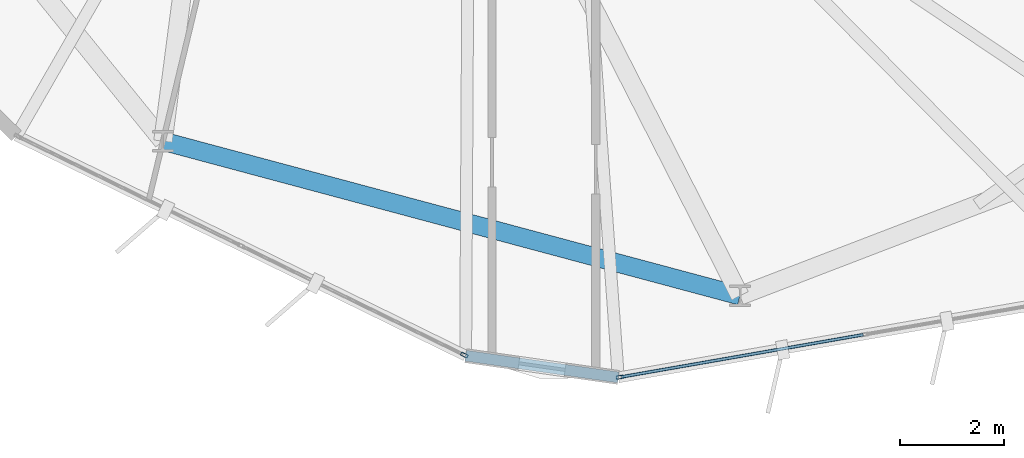
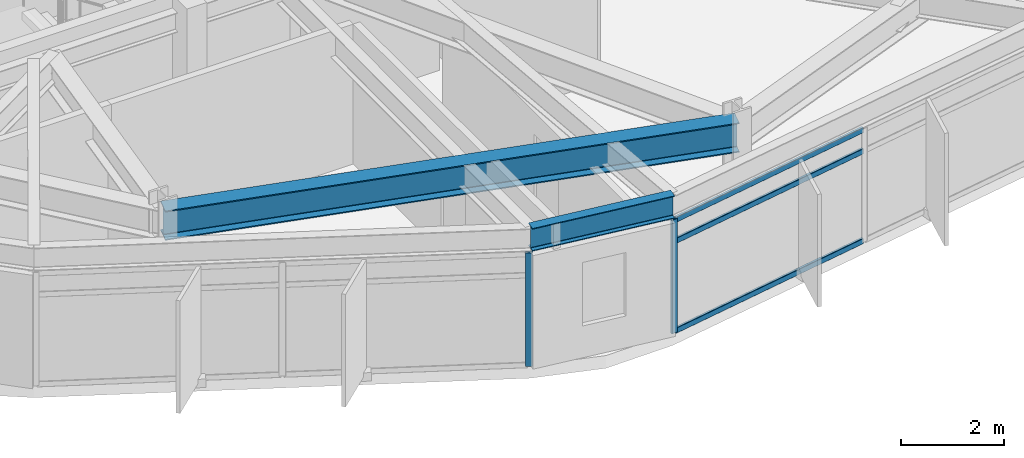
# One storey, part 5 of 28: 5 members, 2 beams, 2 elements without a shape of their own.
"""IFC4 building model written with IfcOpenShell, lengths in metres."""

from ifc_helpers import new_model, si_unit, direction, frame, origin, origin_2d, place, context, subcontext, project, spatial, hollow_rectangle, i_section, extrude, material, layer, layer_set, material_profile, profile_set, type_object, element, aggregate, save


model = new_model("IFC4")

# Units and contexts
model_context = context("Model", 3, precision=1e-05, world=origin(), true_north=direction((0.0, 1.0)))
body_context = subcontext(model_context, "Body", "Model", "MODEL_VIEW")
ifc_project = project(units=[si_unit("LENGTHUNIT", "METRE"), si_unit("AREAUNIT", "SQUARE_METRE"), si_unit("VOLUMEUNIT", "CUBIC_METRE"), si_unit("PLANEANGLEUNIT", "RADIAN"), si_unit("MASSUNIT", "GRAM", prefix="KILO")], contexts=[model_context])

# Site, building, storey
site_placement = place(None, origin())
site = spatial("IfcSite", under=ifc_project, at=site_placement, CompositionType="ELEMENT")
building_placement = place(site_placement, origin())
building = spatial("IfcBuilding", under=site, at=building_placement, Name="Soratama Intermodal Tower", CompositionType="ELEMENT")
storey_placement = place(building_placement, frame((0.0, 0.0, 201.39990234375)))
storey = spatial("IfcBuildingStorey", under=building, at=storey_placement, Name="L50", CompositionType="ELEMENT", Elevation=201.39990234375)

# Beams
ifc_material_1 = material(Name="Structural steel ASTM A992 Grade 50", Category="steel")
ifc_material_profile_1 = material_profile(ifc_material_1, i_section(OverallWidth=0.35498046875, OverallDepth=0.695068359375, WebThickness=0.015380859375, FlangeThickness=0.02490234375, FilletRadius=0.01611328125, at=origin_2d()), Name="W27X146")
ifc_profile_set_1 = profile_set([ifc_material_profile_1], Name="Structural steel ASTM A992 Grade 50")
beam_type_1 = type_object("IfcBeamType", Name="BM-RING-W27X146", PredefinedType="BEAM", material=ifc_profile_set_1)
beam_1_placement = place(storey_placement, frame((34.8701171875, 9.40087890625, 2.95263671875), z_axis=(0.965928616227, -0.258808632687, 0.0), x_axis=(0.258808632687, 0.965928616227, 0.0)))
element("IfcBeam", 1, at=beam_1_placement, inside=storey, type_object=beam_type_1, Name="BM-L50-RING-07", PredefinedType="BEAM", context=body_context, shape_type="SweptSolid", body=[
    extrude(i_section(OverallWidth=0.35498046875, OverallDepth=0.695068359375, WebThickness=0.015380859375, FlangeThickness=0.02490234375, FilletRadius=0.01611328125, at=origin_2d()), origin(), (0.0, 0.0, 1.0), 11.494384765625),
])
ifc_material_2 = material(Name="Structural steel ASTM A992 Grade 50", Category="steel")
ifc_material_profile_2 = material_profile(ifc_material_2, i_section(OverallWidth=0.2099609375, OverallDepth=0.537109375, WebThickness=0.010986328125, FlangeThickness=0.017333984375, FilletRadius=0.012939453125, at=origin_2d()), Name="W21X68")
ifc_profile_set_2 = profile_set([ifc_material_profile_2], Name="Structural steel ASTM A992 Grade 50")
beam_type_2 = type_object("IfcBeamType", Name="BM-SPN-W21X68", PredefinedType="SPANDREL", material=ifc_profile_set_2)
beam_2_placement = place(storey_placement, frame((40.694091796875, 5.27294921875, 3.031494140625), z_axis=(0.990025064431, -0.14089134749, 0.0), x_axis=(0.14089134749, 0.990025064431, 0.0)))
element("IfcBeam", 2, at=beam_2_placement, inside=storey, type_object=beam_type_2, Name="BS-L50-CRN06", PredefinedType="SPANDREL", context=body_context, shape_type="SweptSolid", body=[
    extrude(i_section(OverallWidth=0.2099609375, OverallDepth=0.537109375, WebThickness=0.010986328125, FlangeThickness=0.017333984375, FilletRadius=0.012939453125, at=origin_2d()), origin(), (0.0, 0.0, 1.0), 2.966552734375),
])

# Curtain wall, member
ifc_material_3 = material(Name="Double-glazed aluminium curtain wall", Category="aluminium")
ifc_layer = layer(ifc_material_3, 0.159912109375)
ifc_layer_set = layer_set([ifc_layer], Name="Double-glazed aluminium curtain wall")
curtain_wall_type = type_object("IfcCurtainWallType", Name="CW-SYS-5", PredefinedType="NOTDEFINED", material=ifc_layer_set)
curtain_wall_1_placement = place(storey_placement, origin())
curtain_wall_1 = element("IfcCurtainWall", 3, at=curtain_wall_1_placement, inside=storey, type_object=curtain_wall_type, Name="L50 Faceted Curtain Wall F06", PredefinedType="NOTDEFINED")
ifc_material_4 = material(Name="Anodised aluminium AA 6063-T6", Category="aluminium")
ifc_material_profile_3 = material_profile(ifc_material_4, hollow_rectangle(XDim=0.06494140625, YDim=0.139892578125, WallThickness=0.0048828125, InnerFilletRadius=0.0048828125, OuterFilletRadius=0.010009765625, at=origin_2d()), Name="CWM140X65X5")
ifc_profile_set_3 = profile_set([ifc_material_profile_3], Name="Anodised aluminium AA 6063-T6")
member_type_1 = type_object("IfcMemberType", Name="MT-CWM-5", PredefinedType="MULLION", material=ifc_profile_set_3)
member_1_placement = place(storey_placement, frame((40.667236328125, 5.285888671875, 0.0), z_axis=(0.0, 0.0, 1.0), x_axis=(0.439937909468, 0.898028193217, 0.0)))
member_1 = element("IfcMember", 4, at=member_1_placement, type_object=member_type_1, Name="CW-5 mullion 3", PredefinedType="MULLION", context=body_context, shape_type="SweptSolid", body=[
    extrude(hollow_rectangle(XDim=0.06494140625, YDim=0.139892578125, WallThickness=0.0048828125, InnerFilletRadius=0.0048828125, OuterFilletRadius=0.010009765625, at=origin_2d()), origin(), (0.0, 0.0, 1.0), 2.67919921875),
])
aggregate(curtain_wall_1, [member_1])

# Curtain wall, members
curtain_wall_2_placement = place(storey_placement, origin())
curtain_wall_2 = element("IfcCurtainWall", 5, at=curtain_wall_2_placement, inside=storey, type_object=curtain_wall_type, Name="L50 Faceted Curtain Wall F07", PredefinedType="NOTDEFINED")
member_2_placement = place(storey_placement, frame((43.66064453125, 4.85986328125, 0.0), z_axis=(0.0, 0.0, 1.0), x_axis=(-0.171932681595, 0.985108701108, 0.0)))
member_2 = element("IfcMember", 6, at=member_2_placement, type_object=member_type_1, Name="CW-5 mullion 1", PredefinedType="MULLION", context=body_context, shape_type="SweptSolid", body=[
    extrude(hollow_rectangle(XDim=0.06494140625, YDim=0.139892578125, WallThickness=0.0048828125, InnerFilletRadius=0.0048828125, OuterFilletRadius=0.010009765625, at=origin_2d()), origin(), (0.0, 0.0, 1.0), 2.67919921875),
])
ifc_material_5 = material(Name="Anodised aluminium AA 6063-T6", Category="aluminium")
ifc_material_profile_4 = material_profile(ifc_material_5, hollow_rectangle(XDim=0.06005859375, YDim=0.1298828125, WallThickness=0.0048828125, InnerFilletRadius=0.0048828125, OuterFilletRadius=0.010009765625, at=origin_2d()), Name="CWT130X60X5")
ifc_profile_set_4 = profile_set([ifc_material_profile_4], Name="Anodised aluminium AA 6063-T6")
member_type_2 = type_object("IfcMemberType", Name="TT-CWT-2", PredefinedType="USERDEFINED", material=ifc_profile_set_4)
member_3_placement = place(storey_placement, frame((43.690185546875, 4.864990234375, 0.030029296875), z_axis=(0.985104556534, 0.171956426736, 0.0), x_axis=(-0.171956426736, 0.985104556534, 0.0)))
member_3 = element("IfcMember", 7, at=member_3_placement, type_object=member_type_2, Name="CW-5 transom 1.1", ObjectType="TRANSOM", PredefinedType="USERDEFINED", context=body_context, shape_type="SweptSolid", body=[
    extrude(hollow_rectangle(XDim=0.06005859375, YDim=0.1298828125, WallThickness=0.0048828125, InnerFilletRadius=0.0048828125, OuterFilletRadius=0.010009765625, at=origin_2d()), origin(), (0.0, 0.0, 1.0), 4.72216796875),
])
member_4_placement = place(storey_placement, frame((43.690185546875, 4.864990234375, 2.150146484375), z_axis=(0.985104556534, 0.171956426736, 0.0), x_axis=(-0.171956426736, 0.985104556534, 0.0)))
member_4 = element("IfcMember", 8, at=member_4_placement, type_object=member_type_2, Name="CW-5 transom 1.2", ObjectType="TRANSOM", PredefinedType="USERDEFINED", context=body_context, shape_type="SweptSolid", body=[
    extrude(hollow_rectangle(XDim=0.06005859375, YDim=0.1298828125, WallThickness=0.0048828125, InnerFilletRadius=0.0048828125, OuterFilletRadius=0.010009765625, at=origin_2d()), origin(), (0.0, 0.0, 1.0), 4.72216796875),
])
member_5_placement = place(storey_placement, frame((43.690185546875, 4.864990234375, 2.649169921875), z_axis=(0.985104556534, 0.171956426736, 0.0), x_axis=(-0.171956426736, 0.985104556534, 0.0)))
member_5 = element("IfcMember", 9, at=member_5_placement, type_object=member_type_2, Name="CW-5 transom 1.3", ObjectType="TRANSOM", PredefinedType="USERDEFINED", context=body_context, shape_type="SweptSolid", body=[
    extrude(hollow_rectangle(XDim=0.06005859375, YDim=0.1298828125, WallThickness=0.0048828125, InnerFilletRadius=0.0048828125, OuterFilletRadius=0.010009765625, at=origin_2d()), origin(), (0.0, 0.0, 1.0), 4.72216796875),
])
aggregate(curtain_wall_2, [member_2, member_3, member_4, member_5])

save(model, "model.ifc")
